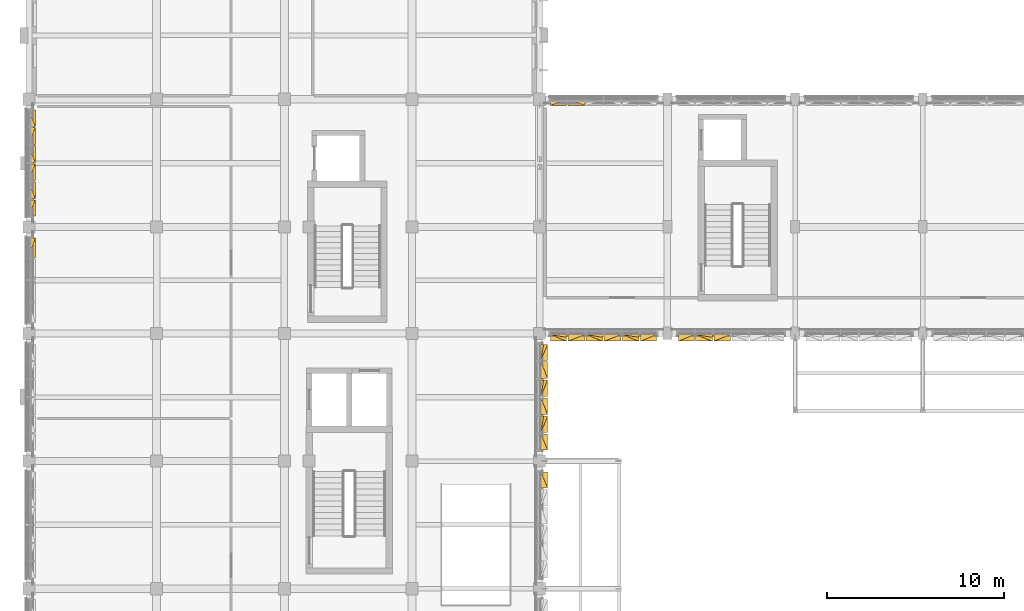
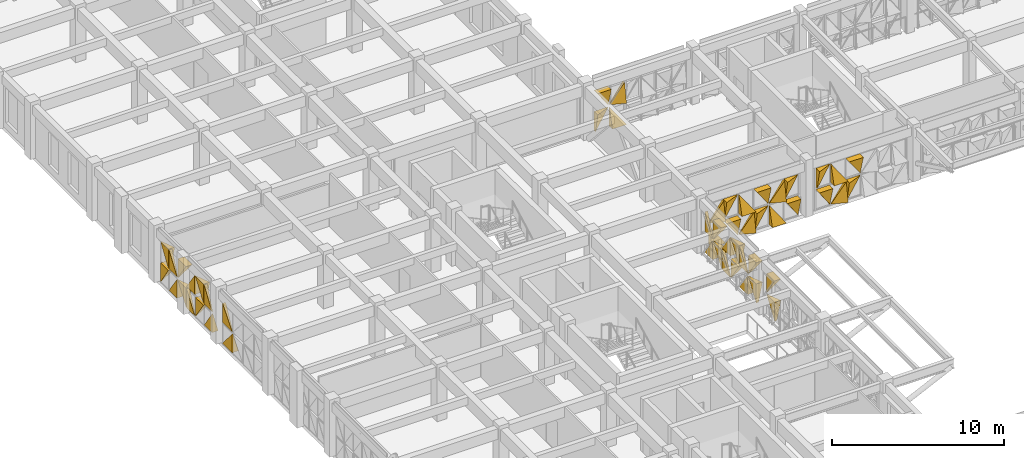
# One storey, part 85 of 88: 50 coverings.
"""IFC4 building model written with IfcOpenShell, lengths in metres."""

from ifc_helpers import new_model, si_unit, direction, frame, origin, place, context, subcontext, project, spatial, polygons, material, layer, layer_set, type_object, element, save


model = new_model("IFC4")

# Units and contexts
model_context = context("Model", 3, precision=1e-05, world=origin(), true_north=direction((0.0, 1.0)))
body_context = subcontext(model_context, "Body", "Model", "MODEL_VIEW")
ifc_project = project(units=[si_unit("LENGTHUNIT", "METRE"), si_unit("AREAUNIT", "SQUARE_METRE"), si_unit("VOLUMEUNIT", "CUBIC_METRE"), si_unit("PLANEANGLEUNIT", "RADIAN"), si_unit("MASSUNIT", "GRAM", prefix="KILO")], contexts=[model_context])

# Site, building, storey
site_placement = place(None, origin())
site = spatial("IfcSite", under=ifc_project, at=site_placement, CompositionType="ELEMENT")
building_placement = place(site_placement, origin())
building = spatial("IfcBuilding", under=site, at=building_placement, Name="Alvorim Cloister Faculty of Sciences", CompositionType="ELEMENT")
storey_placement = place(building_placement, frame((0.0, 0.0, 4.5)))
storey = spatial("IfcBuildingStorey", under=building, at=storey_placement, Name="L01", CompositionType="ELEMENT", Elevation=4.5)

# Coverings
ifc_material = material(Name="Perforated Bronze Alloy Sheet", Category="metal")
ifc_layer = layer(ifc_material, 0.0380859375)
ifc_layer_set = layer_set([ifc_layer], Name="Perforated Bronze Alloy Sheet")
covering_type = type_object("IfcCoveringType", Name="COV-TRI-BRZ", PredefinedType="CLADDING", material=ifc_layer_set)
covering_1_placement = place(storey_placement, frame((-0.044921875, 47.467529296875, 0.159912109375), z_axis=(0.0, 0.0, 1.0), x_axis=(0.0, 1.0, 0.0)))
element("IfcCovering", 1, at=covering_1_placement, inside=storey, type_object=covering_type, Name="Diagonal Solid Metal Triangle TRI-BL", PredefinedType="CLADDING", context=body_context, shape_type="Tessellation", body=[
    polygons([(0.0, 0.0260009765625, 0.0), (1.115431640625, 0.0260009765625, 0.0), (0.0, 0.0260009765625, 1.342970703125), (0.0, -0.4, 0.0), (1.115431640625, -0.4, 0.0), (0.0, -0.03, 1.342970703125)], [[[1, 3, 2]], [[4, 5, 6]], [[1, 2, 5, 4]], [[2, 3, 6, 5]], [[3, 1, 4, 6]]], closed=True),
])
covering_2_placement = place(storey_placement, frame((-0.044921875, 47.467529296875, 1.6650390625), z_axis=(0.0, 0.0, 1.0), x_axis=(0.0, 1.0, 0.0)))
element("IfcCovering", 2, at=covering_2_placement, inside=storey, type_object=covering_type, Name="Diagonal Solid Metal Triangle TRI-BR", PredefinedType="CLADDING", context=body_context, shape_type="Tessellation", body=[
    polygons([(0.002, 0.0260009765625, 0.0), (1.117431640625, 0.0260009765625, 0.0), (1.117431640625, 0.0260009765625, 1.342970703125), (0.002, -0.03, 0.0), (1.117431640625, -0.4, 0.0), (1.117431640625, -0.18000000000000002, 1.342970703125)], [[[1, 3, 2]], [[4, 5, 6]], [[1, 2, 5, 4]], [[2, 3, 6, 5]], [[3, 1, 4, 6]]], closed=True),
])
covering_3_placement = place(storey_placement, frame((-0.044921875, 49.81494140625, 0.159912109375), z_axis=(0.0, 0.0, 1.0), x_axis=(0.0, 1.0, 0.0)))
element("IfcCovering", 3, at=covering_3_placement, inside=storey, type_object=covering_type, Name="Diagonal Solid Metal Triangle TRI-BL", PredefinedType="CLADDING", context=body_context, shape_type="Tessellation", body=[
    polygons([(0.0, 0.0260009765625, 0.0), (0.905470703125, 0.0260009765625, 0.0), (0.0, 0.0260009765625, 1.342970703125), (0.0, -0.4, 0.0), (0.905470703125, -0.4, 0.0), (0.0, -0.03, 1.342970703125)], [[[1, 3, 2]], [[4, 5, 6]], [[1, 2, 5, 4]], [[2, 3, 6, 5]], [[3, 1, 4, 6]]], closed=True),
])
covering_4_placement = place(storey_placement, frame((-0.044921875, 49.81494140625, 1.6650390625), z_axis=(0.0, 0.0, 1.0), x_axis=(0.0, 1.0, 0.0)))
element("IfcCovering", 4, at=covering_4_placement, inside=storey, type_object=covering_type, Name="Diagonal Solid Metal Triangle TRI-BR", PredefinedType="CLADDING", context=body_context, shape_type="Tessellation", body=[
    polygons([(0.002, 0.0260009765625, 0.0), (0.907470703125, 0.0260009765625, 0.0), (0.907470703125, 0.0260009765625, 1.342970703125), (0.002, -0.03, 0.0), (0.907470703125, -0.4, 0.0), (0.907470703125, -0.18000000000000002, 1.342970703125)], [[[1, 3, 2]], [[4, 5, 6]], [[1, 2, 5, 4]], [[2, 3, 6, 5]], [[3, 1, 4, 6]]], closed=True),
])
covering_5_placement = place(storey_placement, frame((-0.044921875, 50.797607421875, 0.159912109375), z_axis=(0.0, 0.0, 1.0), x_axis=(0.0, 1.0, 0.0)))
element("IfcCovering", 5, at=covering_5_placement, inside=storey, type_object=covering_type, Name="Diagonal Solid Metal Triangle TRI-TR", PredefinedType="CLADDING", context=body_context, shape_type="Tessellation", body=[
    polygons([(0.945068359375, 0.0260009765625, 0.002), (0.945068359375, 0.0260009765625, 1.344970703125), (0.002, 0.0260009765625, 1.344970703125), (0.945068359375, -0.03, 0.002), (0.945068359375, -0.4, 1.344970703125), (0.002, -0.4, 1.344970703125)], [[[1, 3, 2]], [[4, 5, 6]], [[1, 2, 5, 4]], [[2, 3, 6, 5]], [[3, 1, 4, 6]]], closed=True),
])
covering_6_placement = place(storey_placement, frame((-0.044921875, 50.797607421875, 1.6650390625), z_axis=(0.0, 0.0, 1.0), x_axis=(0.0, 1.0, 0.0)))
element("IfcCovering", 6, at=covering_6_placement, inside=storey, type_object=covering_type, Name="Diagonal Solid Metal Triangle TRI-TL", PredefinedType="CLADDING", context=body_context, shape_type="Tessellation", body=[
    polygons([(0.943068359375, 0.0260009765625, 1.344970703125), (0.0, 0.0260009765625, 1.344970703125), (0.0, 0.0260009765625, 0.002), (0.943068359375, -0.03, 1.344970703125), (0.0, -0.4, 1.344970703125), (0.0, -0.13999999999999999, 0.002)], [[[1, 3, 2]], [[4, 5, 6]], [[1, 2, 5, 4]], [[2, 3, 6, 5]], [[3, 1, 4, 6]]], closed=True),
])
covering_7_placement = place(storey_placement, frame((-0.044921875, 51.8173828125, 0.159912109375), z_axis=(0.0, 0.0, 1.0), x_axis=(0.0, 1.0, 0.0)))
element("IfcCovering", 7, at=covering_7_placement, inside=storey, type_object=covering_type, Name="Diagonal Solid Metal Triangle TRI-BR", PredefinedType="CLADDING", context=body_context, shape_type="Tessellation", body=[
    polygons([(0.002, 0.0260009765625, 0.0), (0.945068359375, 0.0260009765625, 0.0), (0.945068359375, 0.0260009765625, 1.342970703125), (0.002, -0.03, 0.0), (0.945068359375, -0.4, 0.0), (0.945068359375, -0.18000000000000002, 1.342970703125)], [[[1, 3, 2]], [[4, 5, 6]], [[1, 2, 5, 4]], [[2, 3, 6, 5]], [[3, 1, 4, 6]]], closed=True),
])
covering_8_placement = place(storey_placement, frame((-0.044921875, 51.8173828125, 1.6650390625), z_axis=(0.0, 0.0, 1.0), x_axis=(0.0, 1.0, 0.0)))
element("IfcCovering", 8, at=covering_8_placement, inside=storey, type_object=covering_type, Name="Diagonal Solid Metal Triangle TRI-BL", PredefinedType="CLADDING", context=body_context, shape_type="Tessellation", body=[
    polygons([(0.0, 0.0260009765625, 0.0), (0.943068359375, 0.0260009765625, 0.0), (0.0, 0.0260009765625, 1.342970703125), (0.0, -0.4, 0.0), (0.943068359375, -0.4, 0.0), (0.0, -0.03, 1.342970703125)], [[[1, 3, 2]], [[4, 5, 6]], [[1, 2, 5, 4]], [[2, 3, 6, 5]], [[3, 1, 4, 6]]], closed=True),
])
covering_9_placement = place(storey_placement, frame((-0.044921875, 52.83740234375, 0.159912109375), z_axis=(0.0, 0.0, 1.0), x_axis=(0.0, 1.0, 0.0)))
element("IfcCovering", 9, at=covering_9_placement, inside=storey, type_object=covering_type, Name="Diagonal Solid Metal Triangle TRI-TL", PredefinedType="CLADDING", context=body_context, shape_type="Tessellation", body=[
    polygons([(0.943068359375, 0.0260009765625, 1.344970703125), (0.0, 0.0260009765625, 1.344970703125), (0.0, 0.0260009765625, 0.002), (0.943068359375, -0.03, 1.344970703125), (0.0, -0.4, 1.344970703125), (0.0, -0.13999999999999999, 0.002)], [[[1, 3, 2]], [[4, 5, 6]], [[1, 2, 5, 4]], [[2, 3, 6, 5]], [[3, 1, 4, 6]]], closed=True),
])
covering_10_placement = place(storey_placement, frame((-0.044921875, 52.83740234375, 1.6650390625), z_axis=(0.0, 0.0, 1.0), x_axis=(0.0, 1.0, 0.0)))
element("IfcCovering", 10, at=covering_10_placement, inside=storey, type_object=covering_type, Name="Diagonal Solid Metal Triangle TRI-TR", PredefinedType="CLADDING", context=body_context, shape_type="Tessellation", body=[
    polygons([(0.945068359375, 0.0260009765625, 0.002), (0.945068359375, 0.0260009765625, 1.344970703125), (0.002, 0.0260009765625, 1.344970703125), (0.945068359375, -0.03, 0.002), (0.945068359375, -0.4, 1.344970703125), (0.002, -0.4, 1.344970703125)], [[[1, 3, 2]], [[4, 5, 6]], [[1, 2, 5, 4]], [[2, 3, 6, 5]], [[3, 1, 4, 6]]], closed=True),
])
covering_11_placement = place(storey_placement, frame((-0.044921875, 53.857421875, 0.159912109375), z_axis=(0.0, 0.0, 1.0), x_axis=(0.0, 1.0, 0.0)))
element("IfcCovering", 11, at=covering_11_placement, inside=storey, type_object=covering_type, Name="Diagonal Solid Metal Triangle TRI-BL", PredefinedType="CLADDING", context=body_context, shape_type="Tessellation", body=[
    polygons([(0.0, 0.0260009765625, 0.0), (0.943068359375, 0.0260009765625, 0.0), (0.0, 0.0260009765625, 1.342970703125), (0.0, -0.4, 0.0), (0.943068359375, -0.4, 0.0), (0.0, -0.03, 1.342970703125)], [[[1, 3, 2]], [[4, 5, 6]], [[1, 2, 5, 4]], [[2, 3, 6, 5]], [[3, 1, 4, 6]]], closed=True),
])
covering_12_placement = place(storey_placement, frame((-0.044921875, 53.857421875, 1.6650390625), z_axis=(0.0, 0.0, 1.0), x_axis=(0.0, 1.0, 0.0)))
element("IfcCovering", 12, at=covering_12_placement, inside=storey, type_object=covering_type, Name="Diagonal Solid Metal Triangle TRI-BR", PredefinedType="CLADDING", context=body_context, shape_type="Tessellation", body=[
    polygons([(0.002, 0.0260009765625, 0.0), (0.945068359375, 0.0260009765625, 0.0), (0.945068359375, 0.0260009765625, 1.342970703125), (0.002, -0.03, 0.0), (0.945068359375, -0.4, 0.0), (0.945068359375, -0.18000000000000002, 1.342970703125)], [[[1, 3, 2]], [[4, 5, 6]], [[1, 2, 5, 4]], [[2, 3, 6, 5]], [[3, 1, 4, 6]]], closed=True),
])
covering_13_placement = place(storey_placement, frame((-0.044921875, 54.87744140625, 0.159912109375), z_axis=(0.0, 0.0, 1.0), x_axis=(0.0, 1.0, 0.0)))
element("IfcCovering", 13, at=covering_13_placement, inside=storey, type_object=covering_type, Name="Diagonal Solid Metal Triangle TRI-TR", PredefinedType="CLADDING", context=body_context, shape_type="Tessellation", body=[
    polygons([(0.907470703125, 0.0260009765625, 0.002), (0.907470703125, 0.0260009765625, 1.344970703125), (0.002, 0.0260009765625, 1.344970703125), (0.907470703125, -0.03, 0.002), (0.907470703125, -0.4, 1.344970703125), (0.002, -0.4, 1.344970703125)], [[[1, 3, 2]], [[4, 5, 6]], [[1, 2, 5, 4]], [[2, 3, 6, 5]], [[3, 1, 4, 6]]], closed=True),
])
for number, where, z_axis, x_axis, name in (
    (14, (-0.044921875, 54.87744140625, 1.6650390625), (0.0, 0.0, 1.0), (0.0, 1.0, 0.0), "Diagonal Solid Metal Triangle TRI-TL"),
    (15, (29.4150390625, 56.445068359375, 0.159912109375), (0.0, 0.0, 1.0), (1.0, 0.0, 0.0), "Diagonal Solid Metal Triangle TRI-TL"),
):
    element("IfcCovering", number, at=place(storey_placement, frame(where, z_axis=z_axis, x_axis=x_axis)), inside=storey, type_object=covering_type, Name=name, PredefinedType="CLADDING", context=body_context, shape_type="Tessellation", body=[
        polygons([(0.905470703125, 0.0260009765625, 1.344970703125), (0.0, 0.0260009765625, 1.344970703125), (0.0, 0.0260009765625, 0.002), (0.905470703125, -0.03, 1.344970703125), (0.0, -0.4, 1.344970703125), (0.0, -0.13999999999999999, 0.002)], [[[1, 3, 2]], [[4, 5, 6]], [[1, 2, 5, 4]], [[2, 3, 6, 5]], [[3, 1, 4, 6]]], closed=True),
    ])
covering_14_placement = place(storey_placement, frame((29.4150390625, 56.445068359375, 1.6650390625), z_axis=(0.0, 0.0, 1.0), x_axis=(1.0, 0.0, 0.0)))
element("IfcCovering", 16, at=covering_14_placement, inside=storey, type_object=covering_type, Name="Diagonal Solid Metal Triangle TRI-TR", PredefinedType="CLADDING", context=body_context, shape_type="Tessellation", body=[
    polygons([(0.907470703125, 0.0260009765625, 0.002), (0.907470703125, 0.0260009765625, 1.344970703125), (0.002, 0.0260009765625, 1.344970703125), (0.907470703125, -0.03, 0.002), (0.907470703125, -0.4, 1.344970703125), (0.002, -0.4, 1.344970703125)], [[[1, 3, 2]], [[4, 5, 6]], [[1, 2, 5, 4]], [[2, 3, 6, 5]], [[3, 1, 4, 6]]], closed=True),
])
covering_15_placement = place(storey_placement, frame((30.3974609375, 56.445068359375, 0.159912109375), z_axis=(0.0, 0.0, 1.0), x_axis=(1.0, 0.0, 0.0)))
element("IfcCovering", 17, at=covering_15_placement, inside=storey, type_object=covering_type, Name="Diagonal Solid Metal Triangle TRI-BL", PredefinedType="CLADDING", context=body_context, shape_type="Tessellation", body=[
    polygons([(0.0, 0.0260009765625, 0.0), (0.943068359375, 0.0260009765625, 0.0), (0.0, 0.0260009765625, 1.342970703125), (0.0, -0.4, 0.0), (0.943068359375, -0.4, 0.0), (0.0, -0.03, 1.342970703125)], [[[1, 3, 2]], [[4, 5, 6]], [[1, 2, 5, 4]], [[2, 3, 6, 5]], [[3, 1, 4, 6]]], closed=True),
])
covering_16_placement = place(storey_placement, frame((30.3974609375, 56.445068359375, 1.6650390625), z_axis=(0.0, 0.0, 1.0), x_axis=(1.0, 0.0, 0.0)))
element("IfcCovering", 18, at=covering_16_placement, inside=storey, type_object=covering_type, Name="Diagonal Solid Metal Triangle TRI-BR", PredefinedType="CLADDING", context=body_context, shape_type="Tessellation", body=[
    polygons([(0.002, 0.0260009765625, 0.0), (0.945068359375, 0.0260009765625, 0.0), (0.945068359375, 0.0260009765625, 1.342970703125), (0.002, -0.03, 0.0), (0.945068359375, -0.4, 0.0), (0.945068359375, -0.18000000000000002, 1.342970703125)], [[[1, 3, 2]], [[4, 5, 6]], [[1, 2, 5, 4]], [[2, 3, 6, 5]], [[3, 1, 4, 6]]], closed=True),
])
covering_17_placement = place(storey_placement, frame((36.614990234375, 43.155029296875, 0.159912109375), z_axis=(0.0, 0.0, 1.0), x_axis=(1.0, 0.0, 0.0)))
element("IfcCovering", 19, at=covering_17_placement, inside=storey, type_object=covering_type, Name="Diagonal Solid Metal Triangle TRI-TR", PredefinedType="CLADDING", context=body_context, shape_type="Tessellation", body=[
    polygons([(0.907470703125, 0.0260009765625, 0.002), (0.907470703125, 0.0260009765625, 1.344970703125), (0.002, 0.0260009765625, 1.344970703125), (0.907470703125, -0.03, 0.002), (0.907470703125, -0.4, 1.344970703125), (0.002, -0.4, 1.344970703125)], [[[1, 3, 2]], [[4, 5, 6]], [[1, 2, 5, 4]], [[2, 3, 6, 5]], [[3, 1, 4, 6]]], closed=True),
])
covering_18_placement = place(storey_placement, frame((36.614990234375, 43.155029296875, 1.6650390625), z_axis=(0.0, 0.0, 1.0), x_axis=(1.0, 0.0, 0.0)))
element("IfcCovering", 20, at=covering_18_placement, inside=storey, type_object=covering_type, Name="Diagonal Solid Metal Triangle TRI-TL", PredefinedType="CLADDING", context=body_context, shape_type="Tessellation", body=[
    polygons([(0.905470703125, 0.0260009765625, 1.344970703125), (0.0, 0.0260009765625, 1.344970703125), (0.0, 0.0260009765625, 0.002), (0.905470703125, -0.03, 1.344970703125), (0.0, -0.4, 1.344970703125), (0.0, -0.13999999999999999, 0.002)], [[[1, 3, 2]], [[4, 5, 6]], [[1, 2, 5, 4]], [[2, 3, 6, 5]], [[3, 1, 4, 6]]], closed=True),
])
covering_19_placement = place(storey_placement, frame((37.597412109375, 43.155029296875, 0.159912109375), z_axis=(0.0, 0.0, 1.0), x_axis=(1.0, 0.0, 0.0)))
element("IfcCovering", 21, at=covering_19_placement, inside=storey, type_object=covering_type, Name="Diagonal Solid Metal Triangle TRI-BR", PredefinedType="CLADDING", context=body_context, shape_type="Tessellation", body=[
    polygons([(0.002, 0.0260009765625, 0.0), (0.945068359375, 0.0260009765625, 0.0), (0.945068359375, 0.0260009765625, 1.342970703125), (0.002, -0.03, 0.0), (0.945068359375, -0.4, 0.0), (0.945068359375, -0.18000000000000002, 1.342970703125)], [[[1, 3, 2]], [[4, 5, 6]], [[1, 2, 5, 4]], [[2, 3, 6, 5]], [[3, 1, 4, 6]]], closed=True),
])
covering_20_placement = place(storey_placement, frame((37.597412109375, 43.155029296875, 1.6650390625), z_axis=(0.0, 0.0, 1.0), x_axis=(1.0, 0.0, 0.0)))
element("IfcCovering", 22, at=covering_20_placement, inside=storey, type_object=covering_type, Name="Diagonal Solid Metal Triangle TRI-BL", PredefinedType="CLADDING", context=body_context, shape_type="Tessellation", body=[
    polygons([(0.0, 0.0260009765625, 0.0), (0.943068359375, 0.0260009765625, 0.0), (0.0, 0.0260009765625, 1.342970703125), (0.0, -0.4, 0.0), (0.943068359375, -0.4, 0.0), (0.0, -0.03, 1.342970703125)], [[[1, 3, 2]], [[4, 5, 6]], [[1, 2, 5, 4]], [[2, 3, 6, 5]], [[3, 1, 4, 6]]], closed=True),
])
covering_21_placement = place(storey_placement, frame((38.617431640625, 43.155029296875, 0.159912109375), z_axis=(0.0, 0.0, 1.0), x_axis=(1.0, 0.0, 0.0)))
element("IfcCovering", 23, at=covering_21_placement, inside=storey, type_object=covering_type, Name="Diagonal Solid Metal Triangle TRI-TL", PredefinedType="CLADDING", context=body_context, shape_type="Tessellation", body=[
    polygons([(0.943068359375, 0.0260009765625, 1.344970703125), (0.0, 0.0260009765625, 1.344970703125), (0.0, 0.0260009765625, 0.002), (0.943068359375, -0.03, 1.344970703125), (0.0, -0.4, 1.344970703125), (0.0, -0.13999999999999999, 0.002)], [[[1, 3, 2]], [[4, 5, 6]], [[1, 2, 5, 4]], [[2, 3, 6, 5]], [[3, 1, 4, 6]]], closed=True),
])
covering_22_placement = place(storey_placement, frame((38.617431640625, 43.155029296875, 1.6650390625), z_axis=(0.0, 0.0, 1.0), x_axis=(1.0, 0.0, 0.0)))
element("IfcCovering", 24, at=covering_22_placement, inside=storey, type_object=covering_type, Name="Diagonal Solid Metal Triangle TRI-TR", PredefinedType="CLADDING", context=body_context, shape_type="Tessellation", body=[
    polygons([(0.945068359375, 0.0260009765625, 0.002), (0.945068359375, 0.0260009765625, 1.344970703125), (0.002, 0.0260009765625, 1.344970703125), (0.945068359375, -0.03, 0.002), (0.945068359375, -0.4, 1.344970703125), (0.002, -0.4, 1.344970703125)], [[[1, 3, 2]], [[4, 5, 6]], [[1, 2, 5, 4]], [[2, 3, 6, 5]], [[3, 1, 4, 6]]], closed=True),
])
covering_23_placement = place(storey_placement, frame((29.4150390625, 43.155029296875, 0.159912109375), z_axis=(0.0, 0.0, 1.0), x_axis=(1.0, 0.0, 0.0)))
element("IfcCovering", 25, at=covering_23_placement, inside=storey, type_object=covering_type, Name="Diagonal Solid Metal Triangle TRI-BL", PredefinedType="CLADDING", context=body_context, shape_type="Tessellation", body=[
    polygons([(0.0, 0.0260009765625, 0.0), (0.905470703125, 0.0260009765625, 0.0), (0.0, 0.0260009765625, 1.342970703125), (0.0, -0.4, 0.0), (0.905470703125, -0.4, 0.0), (0.0, -0.03, 1.342970703125)], [[[1, 3, 2]], [[4, 5, 6]], [[1, 2, 5, 4]], [[2, 3, 6, 5]], [[3, 1, 4, 6]]], closed=True),
])
covering_24_placement = place(storey_placement, frame((29.4150390625, 43.155029296875, 1.6650390625), z_axis=(0.0, 0.0, 1.0), x_axis=(1.0, 0.0, 0.0)))
element("IfcCovering", 26, at=covering_24_placement, inside=storey, type_object=covering_type, Name="Diagonal Solid Metal Triangle TRI-BR", PredefinedType="CLADDING", context=body_context, shape_type="Tessellation", body=[
    polygons([(0.002, 0.0260009765625, 0.0), (0.907470703125, 0.0260009765625, 0.0), (0.907470703125, 0.0260009765625, 1.342970703125), (0.002, -0.03, 0.0), (0.907470703125, -0.4, 0.0), (0.907470703125, -0.18000000000000002, 1.342970703125)], [[[1, 3, 2]], [[4, 5, 6]], [[1, 2, 5, 4]], [[2, 3, 6, 5]], [[3, 1, 4, 6]]], closed=True),
])
covering_25_placement = place(storey_placement, frame((30.3974609375, 43.155029296875, 0.159912109375), z_axis=(0.0, 0.0, 1.0), x_axis=(1.0, 0.0, 0.0)))
element("IfcCovering", 27, at=covering_25_placement, inside=storey, type_object=covering_type, Name="Diagonal Solid Metal Triangle TRI-TR", PredefinedType="CLADDING", context=body_context, shape_type="Tessellation", body=[
    polygons([(0.945068359375, 0.0260009765625, 0.002), (0.945068359375, 0.0260009765625, 1.344970703125), (0.002, 0.0260009765625, 1.344970703125), (0.945068359375, -0.03, 0.002), (0.945068359375, -0.4, 1.344970703125), (0.002, -0.4, 1.344970703125)], [[[1, 3, 2]], [[4, 5, 6]], [[1, 2, 5, 4]], [[2, 3, 6, 5]], [[3, 1, 4, 6]]], closed=True),
])
covering_26_placement = place(storey_placement, frame((30.3974609375, 43.155029296875, 1.6650390625), z_axis=(0.0, 0.0, 1.0), x_axis=(1.0, 0.0, 0.0)))
element("IfcCovering", 28, at=covering_26_placement, inside=storey, type_object=covering_type, Name="Diagonal Solid Metal Triangle TRI-TL", PredefinedType="CLADDING", context=body_context, shape_type="Tessellation", body=[
    polygons([(0.943068359375, 0.0260009765625, 1.344970703125), (0.0, 0.0260009765625, 1.344970703125), (0.0, 0.0260009765625, 0.002), (0.943068359375, -0.03, 1.344970703125), (0.0, -0.4, 1.344970703125), (0.0, -0.13999999999999999, 0.002)], [[[1, 3, 2]], [[4, 5, 6]], [[1, 2, 5, 4]], [[2, 3, 6, 5]], [[3, 1, 4, 6]]], closed=True),
])
covering_27_placement = place(storey_placement, frame((31.41748046875, 43.155029296875, 0.159912109375), z_axis=(0.0, 0.0, 1.0), x_axis=(1.0, 0.0, 0.0)))
element("IfcCovering", 29, at=covering_27_placement, inside=storey, type_object=covering_type, Name="Diagonal Solid Metal Triangle TRI-BR", PredefinedType="CLADDING", context=body_context, shape_type="Tessellation", body=[
    polygons([(0.002, 0.0260009765625, 0.0), (0.945068359375, 0.0260009765625, 0.0), (0.945068359375, 0.0260009765625, 1.342970703125), (0.002, -0.03, 0.0), (0.945068359375, -0.4, 0.0), (0.945068359375, -0.18000000000000002, 1.342970703125)], [[[1, 3, 2]], [[4, 5, 6]], [[1, 2, 5, 4]], [[2, 3, 6, 5]], [[3, 1, 4, 6]]], closed=True),
])
covering_28_placement = place(storey_placement, frame((31.41748046875, 43.155029296875, 1.6650390625), z_axis=(0.0, 0.0, 1.0), x_axis=(1.0, 0.0, 0.0)))
element("IfcCovering", 30, at=covering_28_placement, inside=storey, type_object=covering_type, Name="Diagonal Solid Metal Triangle TRI-BL", PredefinedType="CLADDING", context=body_context, shape_type="Tessellation", body=[
    polygons([(0.0, 0.0260009765625, 0.0), (0.943068359375, 0.0260009765625, 0.0), (0.0, 0.0260009765625, 1.342970703125), (0.0, -0.4, 0.0), (0.943068359375, -0.4, 0.0), (0.0, -0.03, 1.342970703125)], [[[1, 3, 2]], [[4, 5, 6]], [[1, 2, 5, 4]], [[2, 3, 6, 5]], [[3, 1, 4, 6]]], closed=True),
])
covering_29_placement = place(storey_placement, frame((32.4375, 43.155029296875, 0.159912109375), z_axis=(0.0, 0.0, 1.0), x_axis=(1.0, 0.0, 0.0)))
element("IfcCovering", 31, at=covering_29_placement, inside=storey, type_object=covering_type, Name="Diagonal Solid Metal Triangle TRI-TL", PredefinedType="CLADDING", context=body_context, shape_type="Tessellation", body=[
    polygons([(0.943068359375, 0.0260009765625, 1.344970703125), (0.0, 0.0260009765625, 1.344970703125), (0.0, 0.0260009765625, 0.002), (0.943068359375, -0.03, 1.344970703125), (0.0, -0.4, 1.344970703125), (0.0, -0.13999999999999999, 0.002)], [[[1, 3, 2]], [[4, 5, 6]], [[1, 2, 5, 4]], [[2, 3, 6, 5]], [[3, 1, 4, 6]]], closed=True),
])
covering_30_placement = place(storey_placement, frame((32.4375, 43.155029296875, 1.6650390625), z_axis=(0.0, 0.0, 1.0), x_axis=(1.0, 0.0, 0.0)))
element("IfcCovering", 32, at=covering_30_placement, inside=storey, type_object=covering_type, Name="Diagonal Solid Metal Triangle TRI-TR", PredefinedType="CLADDING", context=body_context, shape_type="Tessellation", body=[
    polygons([(0.945068359375, 0.0260009765625, 0.002), (0.945068359375, 0.0260009765625, 1.344970703125), (0.002, 0.0260009765625, 1.344970703125), (0.945068359375, -0.03, 0.002), (0.945068359375, -0.4, 1.344970703125), (0.002, -0.4, 1.344970703125)], [[[1, 3, 2]], [[4, 5, 6]], [[1, 2, 5, 4]], [[2, 3, 6, 5]], [[3, 1, 4, 6]]], closed=True),
])
covering_31_placement = place(storey_placement, frame((33.45751953125, 43.155029296875, 0.159912109375), z_axis=(0.0, 0.0, 1.0), x_axis=(1.0, 0.0, 0.0)))
element("IfcCovering", 33, at=covering_31_placement, inside=storey, type_object=covering_type, Name="Diagonal Solid Metal Triangle TRI-BL", PredefinedType="CLADDING", context=body_context, shape_type="Tessellation", body=[
    polygons([(0.0, 0.0260009765625, 0.0), (0.943068359375, 0.0260009765625, 0.0), (0.0, 0.0260009765625, 1.342970703125), (0.0, -0.4, 0.0), (0.943068359375, -0.4, 0.0), (0.0, -0.03, 1.342970703125)], [[[1, 3, 2]], [[4, 5, 6]], [[1, 2, 5, 4]], [[2, 3, 6, 5]], [[3, 1, 4, 6]]], closed=True),
])
covering_32_placement = place(storey_placement, frame((33.45751953125, 43.155029296875, 1.6650390625), z_axis=(0.0, 0.0, 1.0), x_axis=(1.0, 0.0, 0.0)))
element("IfcCovering", 34, at=covering_32_placement, inside=storey, type_object=covering_type, Name="Diagonal Solid Metal Triangle TRI-BR", PredefinedType="CLADDING", context=body_context, shape_type="Tessellation", body=[
    polygons([(0.002, 0.0260009765625, 0.0), (0.945068359375, 0.0260009765625, 0.0), (0.945068359375, 0.0260009765625, 1.342970703125), (0.002, -0.03, 0.0), (0.945068359375, -0.4, 0.0), (0.945068359375, -0.18000000000000002, 1.342970703125)], [[[1, 3, 2]], [[4, 5, 6]], [[1, 2, 5, 4]], [[2, 3, 6, 5]], [[3, 1, 4, 6]]], closed=True),
])
covering_33_placement = place(storey_placement, frame((34.4775390625, 43.155029296875, 0.159912109375), z_axis=(0.0, 0.0, 1.0), x_axis=(1.0, 0.0, 0.0)))
element("IfcCovering", 35, at=covering_33_placement, inside=storey, type_object=covering_type, Name="Diagonal Solid Metal Triangle TRI-TR", PredefinedType="CLADDING", context=body_context, shape_type="Tessellation", body=[
    polygons([(0.907470703125, 0.0260009765625, 0.002), (0.907470703125, 0.0260009765625, 1.344970703125), (0.002, 0.0260009765625, 1.344970703125), (0.907470703125, -0.03, 0.002), (0.907470703125, -0.4, 1.344970703125), (0.002, -0.4, 1.344970703125)], [[[1, 3, 2]], [[4, 5, 6]], [[1, 2, 5, 4]], [[2, 3, 6, 5]], [[3, 1, 4, 6]]], closed=True),
])
for number, where, z_axis, x_axis, name in (
    (36, (34.4775390625, 43.155029296875, 1.6650390625), (0.0, 0.0, 1.0), (1.0, 0.0, 0.0), "Diagonal Solid Metal Triangle TRI-TL"),
    (37, (28.844970703125, 36.614990234375, 0.159912109375), (0.0, 0.0, 1.0), (0.0, 1.0, 0.0), "Diagonal Solid Metal Triangle TRI-TL"),
):
    element("IfcCovering", number, at=place(storey_placement, frame(where, z_axis=z_axis, x_axis=x_axis)), inside=storey, type_object=covering_type, Name=name, PredefinedType="CLADDING", context=body_context, shape_type="Tessellation", body=[
        polygons([(0.905470703125, 0.0260009765625, 1.344970703125), (0.0, 0.0260009765625, 1.344970703125), (0.0, 0.0260009765625, 0.002), (0.905470703125, -0.03, 1.344970703125), (0.0, -0.4, 1.344970703125), (0.0, -0.13999999999999999, 0.002)], [[[1, 3, 2]], [[4, 5, 6]], [[1, 2, 5, 4]], [[2, 3, 6, 5]], [[3, 1, 4, 6]]], closed=True),
    ])
covering_34_placement = place(storey_placement, frame((28.844970703125, 36.614990234375, 1.6650390625), z_axis=(0.0, 0.0, 1.0), x_axis=(0.0, 1.0, 0.0)))
element("IfcCovering", 38, at=covering_34_placement, inside=storey, type_object=covering_type, Name="Diagonal Solid Metal Triangle TRI-TR", PredefinedType="CLADDING", context=body_context, shape_type="Tessellation", body=[
    polygons([(0.907470703125, 0.0260009765625, 0.002), (0.907470703125, 0.0260009765625, 1.344970703125), (0.002, 0.0260009765625, 1.344970703125), (0.907470703125, -0.03, 0.002), (0.907470703125, -0.4, 1.344970703125), (0.002, -0.4, 1.344970703125)], [[[1, 3, 2]], [[4, 5, 6]], [[1, 2, 5, 4]], [[2, 3, 6, 5]], [[3, 1, 4, 6]]], closed=True),
])
covering_35_placement = place(storey_placement, frame((28.844970703125, 37.597412109375, 0.159912109375), z_axis=(0.0, 0.0, 1.0), x_axis=(0.0, 1.0, 0.0)))
element("IfcCovering", 39, at=covering_35_placement, inside=storey, type_object=covering_type, Name="Diagonal Solid Metal Triangle TRI-BL", PredefinedType="CLADDING", context=body_context, shape_type="Tessellation", body=[
    polygons([(0.0, 0.0260009765625, 0.0), (0.943068359375, 0.0260009765625, 0.0), (0.0, 0.0260009765625, 1.342970703125), (0.0, -0.4, 0.0), (0.943068359375, -0.4, 0.0), (0.0, -0.03, 1.342970703125)], [[[1, 3, 2]], [[4, 5, 6]], [[1, 2, 5, 4]], [[2, 3, 6, 5]], [[3, 1, 4, 6]]], closed=True),
])
covering_36_placement = place(storey_placement, frame((28.844970703125, 37.597412109375, 1.6650390625), z_axis=(0.0, 0.0, 1.0), x_axis=(0.0, 1.0, 0.0)))
element("IfcCovering", 40, at=covering_36_placement, inside=storey, type_object=covering_type, Name="Diagonal Solid Metal Triangle TRI-BR", PredefinedType="CLADDING", context=body_context, shape_type="Tessellation", body=[
    polygons([(0.002, 0.0260009765625, 0.0), (0.945068359375, 0.0260009765625, 0.0), (0.945068359375, 0.0260009765625, 1.342970703125), (0.002, -0.03, 0.0), (0.945068359375, -0.4, 0.0), (0.945068359375, -0.18000000000000002, 1.342970703125)], [[[1, 3, 2]], [[4, 5, 6]], [[1, 2, 5, 4]], [[2, 3, 6, 5]], [[3, 1, 4, 6]]], closed=True),
])
covering_37_placement = place(storey_placement, frame((28.844970703125, 38.617431640625, 0.159912109375), z_axis=(0.0, 0.0, 1.0), x_axis=(0.0, 1.0, 0.0)))
element("IfcCovering", 41, at=covering_37_placement, inside=storey, type_object=covering_type, Name="Diagonal Solid Metal Triangle TRI-TR", PredefinedType="CLADDING", context=body_context, shape_type="Tessellation", body=[
    polygons([(0.945068359375, 0.0260009765625, 0.002), (0.945068359375, 0.0260009765625, 1.344970703125), (0.002, 0.0260009765625, 1.344970703125), (0.945068359375, -0.03, 0.002), (0.945068359375, -0.4, 1.344970703125), (0.002, -0.4, 1.344970703125)], [[[1, 3, 2]], [[4, 5, 6]], [[1, 2, 5, 4]], [[2, 3, 6, 5]], [[3, 1, 4, 6]]], closed=True),
])
covering_38_placement = place(storey_placement, frame((28.844970703125, 38.617431640625, 1.6650390625), z_axis=(0.0, 0.0, 1.0), x_axis=(0.0, 1.0, 0.0)))
element("IfcCovering", 42, at=covering_38_placement, inside=storey, type_object=covering_type, Name="Diagonal Solid Metal Triangle TRI-TL", PredefinedType="CLADDING", context=body_context, shape_type="Tessellation", body=[
    polygons([(0.943068359375, 0.0260009765625, 1.344970703125), (0.0, 0.0260009765625, 1.344970703125), (0.0, 0.0260009765625, 0.002), (0.943068359375, -0.03, 1.344970703125), (0.0, -0.4, 1.344970703125), (0.0, -0.13999999999999999, 0.002)], [[[1, 3, 2]], [[4, 5, 6]], [[1, 2, 5, 4]], [[2, 3, 6, 5]], [[3, 1, 4, 6]]], closed=True),
])
covering_39_placement = place(storey_placement, frame((28.844970703125, 39.637451171875, 0.159912109375), z_axis=(0.0, 0.0, 1.0), x_axis=(0.0, 1.0, 0.0)))
element("IfcCovering", 43, at=covering_39_placement, inside=storey, type_object=covering_type, Name="Diagonal Solid Metal Triangle TRI-BR", PredefinedType="CLADDING", context=body_context, shape_type="Tessellation", body=[
    polygons([(0.002, 0.0260009765625, 0.0), (0.945068359375, 0.0260009765625, 0.0), (0.945068359375, 0.0260009765625, 1.342970703125), (0.002, -0.03, 0.0), (0.945068359375, -0.4, 0.0), (0.945068359375, -0.18000000000000002, 1.342970703125)], [[[1, 3, 2]], [[4, 5, 6]], [[1, 2, 5, 4]], [[2, 3, 6, 5]], [[3, 1, 4, 6]]], closed=True),
])
covering_40_placement = place(storey_placement, frame((28.844970703125, 39.637451171875, 1.6650390625), z_axis=(0.0, 0.0, 1.0), x_axis=(0.0, 1.0, 0.0)))
element("IfcCovering", 44, at=covering_40_placement, inside=storey, type_object=covering_type, Name="Diagonal Solid Metal Triangle TRI-BL", PredefinedType="CLADDING", context=body_context, shape_type="Tessellation", body=[
    polygons([(0.0, 0.0260009765625, 0.0), (0.943068359375, 0.0260009765625, 0.0), (0.0, 0.0260009765625, 1.342970703125), (0.0, -0.4, 0.0), (0.943068359375, -0.4, 0.0), (0.0, -0.03, 1.342970703125)], [[[1, 3, 2]], [[4, 5, 6]], [[1, 2, 5, 4]], [[2, 3, 6, 5]], [[3, 1, 4, 6]]], closed=True),
])
covering_41_placement = place(storey_placement, frame((28.844970703125, 40.657470703125, 0.159912109375), z_axis=(0.0, 0.0, 1.0), x_axis=(0.0, 1.0, 0.0)))
element("IfcCovering", 45, at=covering_41_placement, inside=storey, type_object=covering_type, Name="Diagonal Solid Metal Triangle TRI-TL", PredefinedType="CLADDING", context=body_context, shape_type="Tessellation", body=[
    polygons([(0.943068359375, 0.0260009765625, 1.344970703125), (0.0, 0.0260009765625, 1.344970703125), (0.0, 0.0260009765625, 0.002), (0.943068359375, -0.03, 1.344970703125), (0.0, -0.4, 1.344970703125), (0.0, -0.13999999999999999, 0.002)], [[[1, 3, 2]], [[4, 5, 6]], [[1, 2, 5, 4]], [[2, 3, 6, 5]], [[3, 1, 4, 6]]], closed=True),
])
covering_42_placement = place(storey_placement, frame((28.844970703125, 40.657470703125, 1.6650390625), z_axis=(0.0, 0.0, 1.0), x_axis=(0.0, 1.0, 0.0)))
element("IfcCovering", 46, at=covering_42_placement, inside=storey, type_object=covering_type, Name="Diagonal Solid Metal Triangle TRI-TR", PredefinedType="CLADDING", context=body_context, shape_type="Tessellation", body=[
    polygons([(0.945068359375, 0.0260009765625, 0.002), (0.945068359375, 0.0260009765625, 1.344970703125), (0.002, 0.0260009765625, 1.344970703125), (0.945068359375, -0.03, 0.002), (0.945068359375, -0.4, 1.344970703125), (0.002, -0.4, 1.344970703125)], [[[1, 3, 2]], [[4, 5, 6]], [[1, 2, 5, 4]], [[2, 3, 6, 5]], [[3, 1, 4, 6]]], closed=True),
])
covering_43_placement = place(storey_placement, frame((28.844970703125, 41.677490234375, 0.159912109375), z_axis=(0.0, 0.0, 1.0), x_axis=(0.0, 1.0, 0.0)))
element("IfcCovering", 47, at=covering_43_placement, inside=storey, type_object=covering_type, Name="Diagonal Solid Metal Triangle TRI-BL", PredefinedType="CLADDING", context=body_context, shape_type="Tessellation", body=[
    polygons([(0.0, 0.0260009765625, 0.0), (0.905470703125, 0.0260009765625, 0.0), (0.0, 0.0260009765625, 1.342970703125), (0.0, -0.4, 0.0), (0.905470703125, -0.4, 0.0), (0.0, -0.03, 1.342970703125)], [[[1, 3, 2]], [[4, 5, 6]], [[1, 2, 5, 4]], [[2, 3, 6, 5]], [[3, 1, 4, 6]]], closed=True),
])
covering_44_placement = place(storey_placement, frame((28.844970703125, 41.677490234375, 1.6650390625), z_axis=(0.0, 0.0, 1.0), x_axis=(0.0, 1.0, 0.0)))
element("IfcCovering", 48, at=covering_44_placement, inside=storey, type_object=covering_type, Name="Diagonal Solid Metal Triangle TRI-BR", PredefinedType="CLADDING", context=body_context, shape_type="Tessellation", body=[
    polygons([(0.002, 0.0260009765625, 0.0), (0.907470703125, 0.0260009765625, 0.0), (0.907470703125, 0.0260009765625, 1.342970703125), (0.002, -0.03, 0.0), (0.907470703125, -0.4, 0.0), (0.907470703125, -0.18000000000000002, 1.342970703125)], [[[1, 3, 2]], [[4, 5, 6]], [[1, 2, 5, 4]], [[2, 3, 6, 5]], [[3, 1, 4, 6]]], closed=True),
])
covering_45_placement = place(storey_placement, frame((28.844970703125, 34.4775390625, 0.159912109375), z_axis=(0.0, 0.0, 1.0), x_axis=(0.0, 1.0, 0.0)))
element("IfcCovering", 49, at=covering_45_placement, inside=storey, type_object=covering_type, Name="Diagonal Solid Metal Triangle TRI-TL", PredefinedType="CLADDING", context=body_context, shape_type="Tessellation", body=[
    polygons([(0.905470703125, 0.0260009765625, 1.344970703125), (0.0, 0.0260009765625, 1.344970703125), (0.0, 0.0260009765625, 0.002), (0.905470703125, -0.03, 1.344970703125), (0.0, -0.4, 1.344970703125), (0.0, -0.13999999999999999, 0.002)], [[[1, 3, 2]], [[4, 5, 6]], [[1, 2, 5, 4]], [[2, 3, 6, 5]], [[3, 1, 4, 6]]], closed=True),
])
covering_46_placement = place(storey_placement, frame((28.844970703125, 34.4775390625, 1.6650390625), z_axis=(0.0, 0.0, 1.0), x_axis=(0.0, 1.0, 0.0)))
element("IfcCovering", 50, at=covering_46_placement, inside=storey, type_object=covering_type, Name="Diagonal Solid Metal Triangle TRI-TR", PredefinedType="CLADDING", context=body_context, shape_type="Tessellation", body=[
    polygons([(0.907470703125, 0.0260009765625, 0.002), (0.907470703125, 0.0260009765625, 1.344970703125), (0.002, 0.0260009765625, 1.344970703125), (0.907470703125, -0.03, 0.002), (0.907470703125, -0.4, 1.344970703125), (0.002, -0.4, 1.344970703125)], [[[1, 3, 2]], [[4, 5, 6]], [[1, 2, 5, 4]], [[2, 3, 6, 5]], [[3, 1, 4, 6]]], closed=True),
])

save(model, "model.ifc")
